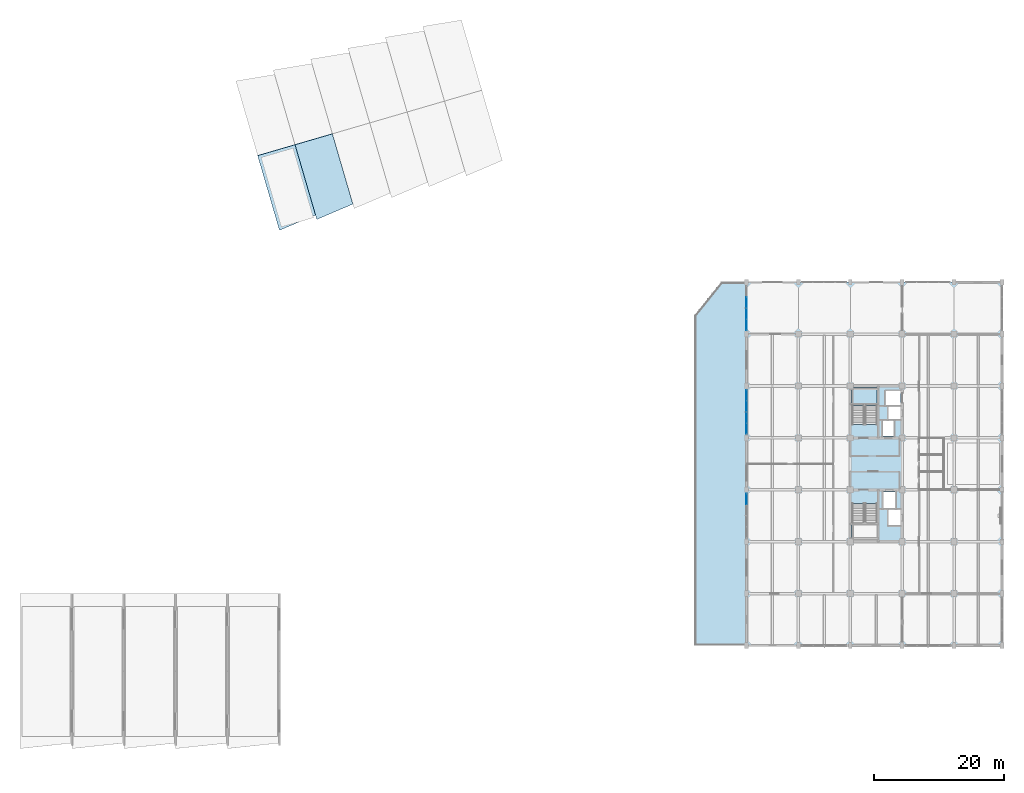
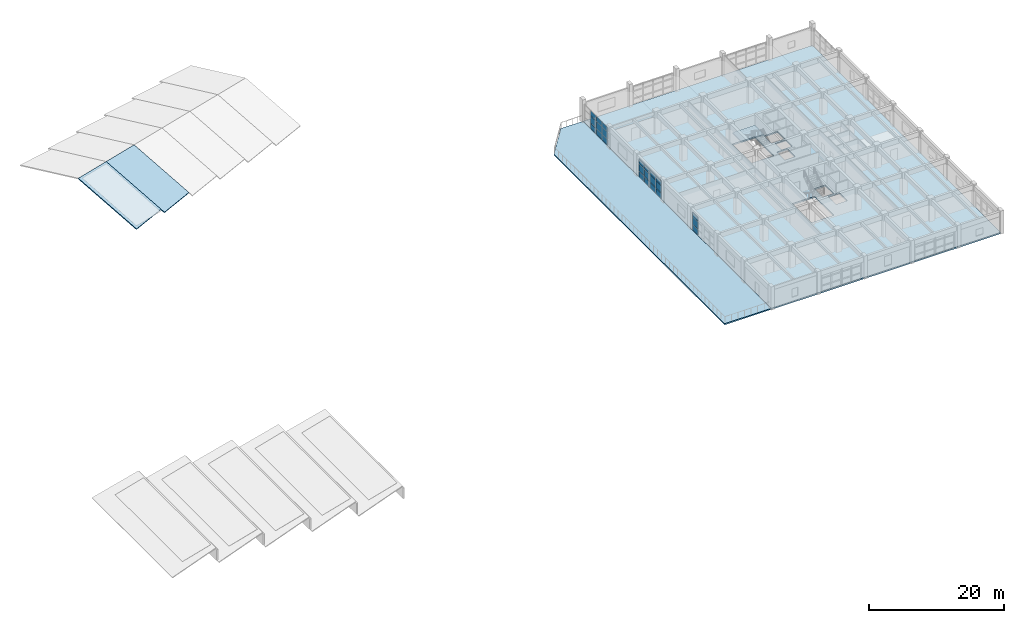
# One storey, part 22 of 35: 24 plates, 5 slabs, 4 elements without a shape of their own.
"""IFC4 building model written with IfcOpenShell, lengths in metres."""

from ifc_helpers import new_model, si_unit, direction, frame, origin, origin_2d, place, context, subcontext, project, spatial, polyline, rectangle, outline, extrude, material, layer, layer_set, type_object, element, aggregate, save


model = new_model("IFC4")

# Units and contexts
model_context = context("Model", 3, precision=1e-05, world=origin(), true_north=direction((0.0, 1.0)))
body_context = subcontext(model_context, "Body", "Model", "MODEL_VIEW")
ifc_project = project(units=[si_unit("LENGTHUNIT", "METRE"), si_unit("AREAUNIT", "SQUARE_METRE"), si_unit("VOLUMEUNIT", "CUBIC_METRE"), si_unit("PLANEANGLEUNIT", "RADIAN"), si_unit("MASSUNIT", "GRAM", prefix="KILO")], contexts=[model_context])

# Site, building, storey
site_placement = place(None, origin())
site = spatial("IfcSite", under=ifc_project, at=site_placement, CompositionType="ELEMENT")
building_placement = place(site_placement, origin())
building = spatial("IfcBuilding", under=site, at=building_placement, Name="Canggui Botanical Conservatory", CompositionType="ELEMENT")
storey_placement = place(building_placement, frame((0.0, 0.0, 15.0)))
storey = spatial("IfcBuildingStorey", under=building, at=storey_placement, Name="L04", CompositionType="ELEMENT", Elevation=15.0)

# Curtain wall, plates
ifc_material_1 = material(Name="Thermally Broken Aluminium", Category="aluminium")
ifc_layer_1 = layer(ifc_material_1, 0.179931640625, Name="Thermally Broken Aluminium", Category="aluminium")
ifc_layer_set_1 = layer_set([ifc_layer_1], Name="Thermally Broken Aluminium")
curtain_wall_type = type_object("IfcCurtainWallType", Name="CW-UNIT-A", PredefinedType="USERDEFINED", material=ifc_layer_set_1)
curtain_wall_1_placement = place(storey_placement, origin())
curtain_wall_1 = element("IfcCurtainWall", 1, at=curtain_wall_1_placement, inside=storey, type_object=curtain_wall_type, Name="Facade Curtain Wall CW-TWR-L04-08", ObjectType="UNITISED CURTAIN WALL", PredefinedType="USERDEFINED")
ifc_material_2 = material(Name="Low-E Insulated Glass", Category="glass")
ifc_layer_2 = layer(ifc_material_2, 0.02587890625, Name="Low-E Insulated Glass", Category="glass")
ifc_layer_set_2 = layer_set([ifc_layer_2], Name="Low-E Insulated Glass")
plate_type = type_object("IfcPlateType", Name="CWP-01", PredefinedType="CURTAIN_PANEL", material=ifc_layer_set_2)
plate_1_placement = place(storey_placement, frame((138.0, 48.5625, 0.06494140625), z_axis=(0.0, 0.0, 1.0), x_axis=(0.0, 1.0, 0.0)))
plate_1 = element("IfcPlate", 2, at=plate_1_placement, type_object=plate_type, Name="CW-01 panel 4.1", PredefinedType="CURTAIN_PANEL", context=body_context, shape_type="SweptSolid", body=[
    extrude(rectangle(XDim=1.614990234375, YDim=0.02587890625, at=origin_2d()), origin(), (0.0, 0.0, 1.0), 0.990478515625),
])
plate_2_placement = place(storey_placement, frame((138.0, 48.5625, 1.12060546875), z_axis=(0.0, 0.0, 1.0), x_axis=(0.0, 1.0, 0.0)))
plate_2 = element("IfcPlate", 3, at=plate_2_placement, type_object=plate_type, Name="CW-01 panel 4.2", PredefinedType="CURTAIN_PANEL", context=body_context, shape_type="SweptSolid", body=[
    extrude(rectangle(XDim=1.614990234375, YDim=0.02587890625, at=origin_2d()), origin(), (0.0, 0.0, 1.0), 1.294921875),
])
plate_3_placement = place(storey_placement, frame((138.0, 48.5625, 2.48046875), z_axis=(0.0, 0.0, 1.0), x_axis=(0.0, 1.0, 0.0)))
plate_3 = element("IfcPlate", 4, at=plate_3_placement, type_object=plate_type, Name="CW-01 panel 4.3", PredefinedType="CURTAIN_PANEL", context=body_context, shape_type="SweptSolid", body=[
    extrude(rectangle(XDim=1.614990234375, YDim=0.02587890625, at=origin_2d()), origin(), (0.0, 0.0, 1.0), 0.8544921875),
])
aggregate(curtain_wall_1, [plate_1, plate_2, plate_3])

curtain_wall_2_placement = place(storey_placement, origin())
curtain_wall_2 = element("IfcCurtainWall", 5, at=curtain_wall_2_placement, inside=storey, type_object=curtain_wall_type, Name="Facade Curtain Wall CW-TWR-L04-10", ObjectType="UNITISED CURTAIN WALL", PredefinedType="USERDEFINED")
plate_4_placement = place(storey_placement, frame((138.0, 59.4375, 0.06494140625), z_axis=(0.0, 0.0, 1.0), x_axis=(0.0, 1.0, 0.0)))
plate_4 = element("IfcPlate", 6, at=plate_4_placement, type_object=plate_type, Name="CW-01 panel 1.1", PredefinedType="CURTAIN_PANEL", context=body_context, shape_type="SweptSolid", body=[
    extrude(rectangle(XDim=1.614990234375, YDim=0.02587890625, at=origin_2d()), origin(), (0.0, 0.0, 1.0), 0.990478515625),
])
plate_5_placement = place(storey_placement, frame((138.0, 59.4375, 1.12060546875), z_axis=(0.0, 0.0, 1.0), x_axis=(0.0, 1.0, 0.0)))
plate_5 = element("IfcPlate", 7, at=plate_5_placement, type_object=plate_type, Name="CW-01 panel 1.2", PredefinedType="CURTAIN_PANEL", context=body_context, shape_type="SweptSolid", body=[
    extrude(rectangle(XDim=1.614990234375, YDim=0.02587890625, at=origin_2d()), origin(), (0.0, 0.0, 1.0), 1.294921875),
])
plate_6_placement = place(storey_placement, frame((138.0, 59.4375, 2.48046875), z_axis=(0.0, 0.0, 1.0), x_axis=(0.0, 1.0, 0.0)))
plate_6 = element("IfcPlate", 8, at=plate_6_placement, type_object=plate_type, Name="CW-01 panel 1.3", PredefinedType="CURTAIN_PANEL", context=body_context, shape_type="SweptSolid", body=[
    extrude(rectangle(XDim=1.614990234375, YDim=0.02587890625, at=origin_2d()), origin(), (0.0, 0.0, 1.0), 0.8544921875),
])
plate_7_placement = place(storey_placement, frame((138.0, 61.139892578125, 0.06494140625), z_axis=(0.0, 0.0, 1.0), x_axis=(0.0, 1.0, 0.0)))
plate_7 = element("IfcPlate", 9, at=plate_7_placement, type_object=plate_type, Name="CW-01 panel 2.1", PredefinedType="CURTAIN_PANEL", context=body_context, shape_type="SweptSolid", body=[
    extrude(rectangle(XDim=1.64990234375, YDim=0.02587890625, at=origin_2d()), origin(), (0.0, 0.0, 1.0), 0.990478515625),
])
plate_8_placement = place(storey_placement, frame((138.0, 61.139892578125, 1.12060546875), z_axis=(0.0, 0.0, 1.0), x_axis=(0.0, 1.0, 0.0)))
plate_8 = element("IfcPlate", 10, at=plate_8_placement, type_object=plate_type, Name="CW-01 panel 2.2", PredefinedType="CURTAIN_PANEL", context=body_context, shape_type="SweptSolid", body=[
    extrude(rectangle(XDim=1.64990234375, YDim=0.02587890625, at=origin_2d()), origin(), (0.0, 0.0, 1.0), 1.294921875),
])
plate_9_placement = place(storey_placement, frame((138.0, 61.139892578125, 2.48046875), z_axis=(0.0, 0.0, 1.0), x_axis=(0.0, 1.0, 0.0)))
plate_9 = element("IfcPlate", 11, at=plate_9_placement, type_object=plate_type, Name="CW-01 panel 2.3", PredefinedType="CURTAIN_PANEL", context=body_context, shape_type="SweptSolid", body=[
    extrude(rectangle(XDim=1.64990234375, YDim=0.02587890625, at=origin_2d()), origin(), (0.0, 0.0, 1.0), 0.8544921875),
])
plate_10_placement = place(storey_placement, frame((138.0, 62.860107421875, 0.06494140625), z_axis=(0.0, 0.0, 1.0), x_axis=(0.0, 1.0, 0.0)))
plate_10 = element("IfcPlate", 12, at=plate_10_placement, type_object=plate_type, Name="CW-01 panel 3.1", PredefinedType="CURTAIN_PANEL", context=body_context, shape_type="SweptSolid", body=[
    extrude(rectangle(XDim=1.64990234375, YDim=0.02587890625, at=origin_2d()), origin(), (0.0, 0.0, 1.0), 0.990478515625),
])
plate_11_placement = place(storey_placement, frame((138.0, 62.860107421875, 1.12060546875), z_axis=(0.0, 0.0, 1.0), x_axis=(0.0, 1.0, 0.0)))
plate_11 = element("IfcPlate", 13, at=plate_11_placement, type_object=plate_type, Name="CW-01 panel 3.2", PredefinedType="CURTAIN_PANEL", context=body_context, shape_type="SweptSolid", body=[
    extrude(rectangle(XDim=1.64990234375, YDim=0.02587890625, at=origin_2d()), origin(), (0.0, 0.0, 1.0), 1.294921875),
])
plate_12_placement = place(storey_placement, frame((138.0, 62.860107421875, 2.48046875), z_axis=(0.0, 0.0, 1.0), x_axis=(0.0, 1.0, 0.0)))
plate_12 = element("IfcPlate", 14, at=plate_12_placement, type_object=plate_type, Name="CW-01 panel 3.3", PredefinedType="CURTAIN_PANEL", context=body_context, shape_type="SweptSolid", body=[
    extrude(rectangle(XDim=1.64990234375, YDim=0.02587890625, at=origin_2d()), origin(), (0.0, 0.0, 1.0), 0.8544921875),
])
plate_13_placement = place(storey_placement, frame((138.0, 64.5625, 0.06494140625), z_axis=(0.0, 0.0, 1.0), x_axis=(0.0, 1.0, 0.0)))
plate_13 = element("IfcPlate", 15, at=plate_13_placement, type_object=plate_type, Name="CW-01 panel 4.1", PredefinedType="CURTAIN_PANEL", context=body_context, shape_type="SweptSolid", body=[
    extrude(rectangle(XDim=1.614990234375, YDim=0.02587890625, at=origin_2d()), origin(), (0.0, 0.0, 1.0), 0.990478515625),
])
plate_14_placement = place(storey_placement, frame((138.0, 64.5625, 1.12060546875), z_axis=(0.0, 0.0, 1.0), x_axis=(0.0, 1.0, 0.0)))
plate_14 = element("IfcPlate", 16, at=plate_14_placement, type_object=plate_type, Name="CW-01 panel 4.2", PredefinedType="CURTAIN_PANEL", context=body_context, shape_type="SweptSolid", body=[
    extrude(rectangle(XDim=1.614990234375, YDim=0.02587890625, at=origin_2d()), origin(), (0.0, 0.0, 1.0), 1.294921875),
])
plate_15_placement = place(storey_placement, frame((138.0, 64.5625, 2.48046875), z_axis=(0.0, 0.0, 1.0), x_axis=(0.0, 1.0, 0.0)))
plate_15 = element("IfcPlate", 17, at=plate_15_placement, type_object=plate_type, Name="CW-01 panel 4.3", PredefinedType="CURTAIN_PANEL", context=body_context, shape_type="SweptSolid", body=[
    extrude(rectangle(XDim=1.614990234375, YDim=0.02587890625, at=origin_2d()), origin(), (0.0, 0.0, 1.0), 0.8544921875),
])
aggregate(curtain_wall_2, [plate_4, plate_5, plate_6, plate_7, plate_8, plate_9, plate_10, plate_11, plate_12, plate_13, plate_14, plate_15])

curtain_wall_3_placement = place(storey_placement, origin())
curtain_wall_3 = element("IfcCurtainWall", 18, at=curtain_wall_3_placement, inside=storey, type_object=curtain_wall_type, Name="Facade Curtain Wall CW-TWR-L04-12", ObjectType="UNITISED CURTAIN WALL", PredefinedType="USERDEFINED")
plate_16_placement = place(storey_placement, frame((138.0, 75.4375, 0.06494140625), z_axis=(0.0, 0.0, 1.0), x_axis=(0.0, 1.0, 0.0)))
plate_16 = element("IfcPlate", 19, at=plate_16_placement, type_object=plate_type, Name="CW-01 panel 1.1", PredefinedType="CURTAIN_PANEL", context=body_context, shape_type="SweptSolid", body=[
    extrude(rectangle(XDim=1.614990234375, YDim=0.02587890625, at=origin_2d()), origin(), (0.0, 0.0, 1.0), 0.990478515625),
])
plate_17_placement = place(storey_placement, frame((138.0, 75.4375, 1.12060546875), z_axis=(0.0, 0.0, 1.0), x_axis=(0.0, 1.0, 0.0)))
plate_17 = element("IfcPlate", 20, at=plate_17_placement, type_object=plate_type, Name="CW-01 panel 1.2", PredefinedType="CURTAIN_PANEL", context=body_context, shape_type="SweptSolid", body=[
    extrude(rectangle(XDim=1.614990234375, YDim=0.02587890625, at=origin_2d()), origin(), (0.0, 0.0, 1.0), 1.294921875),
])
plate_18_placement = place(storey_placement, frame((138.0, 75.4375, 2.48046875), z_axis=(0.0, 0.0, 1.0), x_axis=(0.0, 1.0, 0.0)))
plate_18 = element("IfcPlate", 21, at=plate_18_placement, type_object=plate_type, Name="CW-01 panel 1.3", PredefinedType="CURTAIN_PANEL", context=body_context, shape_type="SweptSolid", body=[
    extrude(rectangle(XDim=1.614990234375, YDim=0.02587890625, at=origin_2d()), origin(), (0.0, 0.0, 1.0), 0.8544921875),
])
plate_19_placement = place(storey_placement, frame((138.0, 77.139892578125, 0.06494140625), z_axis=(0.0, 0.0, 1.0), x_axis=(0.0, 1.0, 0.0)))
plate_19 = element("IfcPlate", 22, at=plate_19_placement, type_object=plate_type, Name="CW-01 panel 2.1", PredefinedType="CURTAIN_PANEL", context=body_context, shape_type="SweptSolid", body=[
    extrude(rectangle(XDim=1.64990234375, YDim=0.02587890625, at=origin_2d()), origin(), (0.0, 0.0, 1.0), 0.990478515625),
])
plate_20_placement = place(storey_placement, frame((138.0, 77.139892578125, 1.12060546875), z_axis=(0.0, 0.0, 1.0), x_axis=(0.0, 1.0, 0.0)))
plate_20 = element("IfcPlate", 23, at=plate_20_placement, type_object=plate_type, Name="CW-01 panel 2.2", PredefinedType="CURTAIN_PANEL", context=body_context, shape_type="SweptSolid", body=[
    extrude(rectangle(XDim=1.64990234375, YDim=0.02587890625, at=origin_2d()), origin(), (0.0, 0.0, 1.0), 1.294921875),
])
plate_21_placement = place(storey_placement, frame((138.0, 77.139892578125, 2.48046875), z_axis=(0.0, 0.0, 1.0), x_axis=(0.0, 1.0, 0.0)))
plate_21 = element("IfcPlate", 24, at=plate_21_placement, type_object=plate_type, Name="CW-01 panel 2.3", PredefinedType="CURTAIN_PANEL", context=body_context, shape_type="SweptSolid", body=[
    extrude(rectangle(XDim=1.64990234375, YDim=0.02587890625, at=origin_2d()), origin(), (0.0, 0.0, 1.0), 0.8544921875),
])
plate_22_placement = place(storey_placement, frame((138.0, 78.860107421875, 0.06494140625), z_axis=(0.0, 0.0, 1.0), x_axis=(0.0, 1.0, 0.0)))
plate_22 = element("IfcPlate", 25, at=plate_22_placement, type_object=plate_type, Name="CW-01 panel 3.1", PredefinedType="CURTAIN_PANEL", context=body_context, shape_type="SweptSolid", body=[
    extrude(rectangle(XDim=1.64990234375, YDim=0.02587890625, at=origin_2d()), origin(), (0.0, 0.0, 1.0), 0.990478515625),
])
plate_23_placement = place(storey_placement, frame((138.0, 78.860107421875, 1.12060546875), z_axis=(0.0, 0.0, 1.0), x_axis=(0.0, 1.0, 0.0)))
plate_23 = element("IfcPlate", 26, at=plate_23_placement, type_object=plate_type, Name="CW-01 panel 3.2", PredefinedType="CURTAIN_PANEL", context=body_context, shape_type="SweptSolid", body=[
    extrude(rectangle(XDim=1.64990234375, YDim=0.02587890625, at=origin_2d()), origin(), (0.0, 0.0, 1.0), 1.294921875),
])
plate_24_placement = place(storey_placement, frame((138.0, 78.860107421875, 2.48046875), z_axis=(0.0, 0.0, 1.0), x_axis=(0.0, 1.0, 0.0)))
plate_24 = element("IfcPlate", 27, at=plate_24_placement, type_object=plate_type, Name="CW-01 panel 3.3", PredefinedType="CURTAIN_PANEL", context=body_context, shape_type="SweptSolid", body=[
    extrude(rectangle(XDim=1.64990234375, YDim=0.02587890625, at=origin_2d()), origin(), (0.0, 0.0, 1.0), 0.8544921875),
])
aggregate(curtain_wall_3, [plate_16, plate_17, plate_18, plate_19, plate_20, plate_21, plate_22, plate_23, plate_24])

# Slabs
ifc_material_3 = material(Name="Concrete C35", Category="concrete")
ifc_layer_3 = layer(ifc_material_3, 0.219970703125, Name="Concrete C35", Category="concrete")
ifc_layer_set_3 = layer_set([ifc_layer_3], Name="Concrete C35")
slab_type_1 = type_object("IfcSlabType", Name="SLAB-F220", PredefinedType="FLOOR", material=ifc_layer_set_3)
slab_1_placement = place(storey_placement, frame((0.0, 0.0, -0.219970703125)))
element("IfcSlab", 28, at=slab_1_placement, inside=storey, type_object=slab_type_1, Name="Research Tower L04 Planted Sky Terrace Slab", PredefinedType="FLOOR", context=body_context, shape_type="SweptSolid", body=[
    extrude(outline(polyline([(130.0, 26.0), (138.0, 26.0), (138.0, 82.0), (134.199951171875, 82.0), (130.0, 76.800048828125), (130.0, 26.0)])), origin(), (0.0, 0.0, 1.0), 0.219970703125),
])
ifc_layer_4 = layer(ifc_material_3, 0.25, Name="Concrete C35", Category="concrete")
ifc_layer_set_4 = layer_set([ifc_layer_4], Name="Concrete C35")
slab_type_2 = type_object("IfcSlabType", Name="SLAB-F250", PredefinedType="FLOOR", material=ifc_layer_set_4)
slab_2_placement = place(storey_placement, frame((0.0, 0.0, -0.25)))
element("IfcSlab", 29, at=slab_2_placement, inside=storey, type_object=slab_type_2, Name="Research Tower L04 Floor Slab", PredefinedType="FLOOR", context=body_context, shape_type="SweptSolid", body=[
    extrude(outline(polyline([(138.0, 26.0), (177.39990234375, 26.0), (177.39990234375, 82.0), (138.0, 82.0), (138.0, 26.0)]), holes=[polyline([(154.300048828125, 47.91943359375), (154.300048828125, 42.260009765625), (158.1201171875, 42.260009765625), (158.1201171875, 47.91943359375), (154.300048828125, 47.91943359375)]), polyline([(158.1201171875, 60.08056640625), (158.1201171875, 65.739990234375), (154.300048828125, 65.739990234375), (154.300048828125, 60.08056640625), (158.1201171875, 60.08056640625)]), polyline([(159.050048828125, 47.14990234375), (160.949951171875, 47.14990234375), (160.949951171875, 49.64990234375), (159.050048828125, 49.64990234375), (159.050048828125, 47.14990234375)]), polyline([(159.85009765625, 44.5), (161.75, 44.5), (161.75, 46.89990234375), (159.85009765625, 46.89990234375), (159.85009765625, 44.5)]), polyline([(158.949951171875, 58.300048828125), (160.75, 58.300048828125), (160.75, 60.64990234375), (158.949951171875, 60.64990234375), (158.949951171875, 58.300048828125)]), polyline([(159.85009765625, 60.85009765625), (161.75, 60.85009765625), (161.75, 62.75), (159.85009765625, 62.75), (159.85009765625, 60.85009765625)]), polyline([(159.449951171875, 63.050048828125), (161.75, 63.050048828125), (161.75, 65.25), (159.449951171875, 65.25), (159.449951171875, 63.050048828125)])]), origin(), (0.0, 0.0, 1.0), 0.25),
])

# Stair, slab
stair_type = type_object("IfcStairType", Name="STR-TYPE-6", PredefinedType="HALF_TURN_STAIR", material=ifc_material_3)
stair_placement = place(storey_placement, origin())
stair = element("IfcStair", 30, at=stair_placement, inside=storey, type_object=stair_type, Name="L04 Tower North Smoke-Proof Stair ST-T2", PredefinedType="HALF_TURN_STAIR")
ifc_layer_5 = layer(ifc_material_3, 0.199951171875, Name="Concrete C35", Category="concrete")
ifc_layer_set_5 = layer_set([ifc_layer_5], Name="Concrete C35")
slab_type_3 = type_object("IfcSlabType", Name="SLAB-LND-200", PredefinedType="LANDING", material=ifc_layer_set_5)
slab_3_placement = place(storey_placement, frame((0.0, 0.0, 1.89990234375)))
slab_3 = element("IfcSlab", 31, at=slab_3_placement, type_object=slab_type_3, Name="ST-T2 landing 1", PredefinedType="LANDING", context=body_context, shape_type="SweptSolid", body=[
    extrude(outline(polyline([(158.1201171875, 63.027587890625), (158.1201171875, 65.739990234375), (154.300048828125, 65.739990234375), (154.300048828125, 63.027587890625), (158.1201171875, 63.027587890625)])), origin(), (0.0, 0.0, 1.0), 0.2001953125),
])
aggregate(stair, [slab_3])

# Slabs
ifc_layer_6 = layer(ifc_material_3, 0.179931640625, Name="Concrete C35", Category="concrete")
ifc_layer_set_6 = layer_set([ifc_layer_6], Name="Concrete C35")
slab_type_4 = type_object("IfcSlabType", Name="SLAB-R180", PredefinedType="ROOF", material=ifc_layer_set_6)
slab_4_placement = place(storey_placement, frame((66.0, 90.0, 0.800048828125), z_axis=(0.076335161967, -0.261693165976, 0.962127657813), x_axis=(0.919284043724, 0.392147186832, 0.033725818208)))
element("IfcSlab", 32, at=slab_4_placement, inside=storey, type_object=slab_type_4, Name="Auditorium Folded Roof South Facet 1", PredefinedType="ROOF", context=body_context, shape_type="SweptSolid", body=[
    extrude(outline(polyline([(0.0, 0.0), (6.046395107467122, -4.163336342344337e-17), (7.497180137847796, 11.633996223444381), (1.5433146016719832, 12.376537798190746), (0.0, 0.0)])), origin(), (0.0, 0.0, -1.0), 0.179931640625),
])
slab_5_placement = place(storey_placement, frame((71.760009765625, 91.679931640625, 0.800048828125), z_axis=(0.076341142573, -0.26169406791, 0.962126937972), x_axis=(0.919269903142, 0.392179929232, 0.033730524543)))
element("IfcSlab", 33, at=slab_5_placement, inside=storey, type_object=slab_type_4, Name="Auditorium Folded Roof South Facet 2", PredefinedType="ROOF", context=body_context, shape_type="SweptSolid", body=[
    extrude(outline(polyline([(0.0, 0.0), (6.046490850938612, 6.938893903907228e-18), (7.497594400986209, 11.63372925354368), (1.5437553097113619, 12.3764828351262), (0.0, 0.0)])), origin(), (0.0, 0.0, -1.0), 0.179931640625),
])

save(model, "model.ifc")
